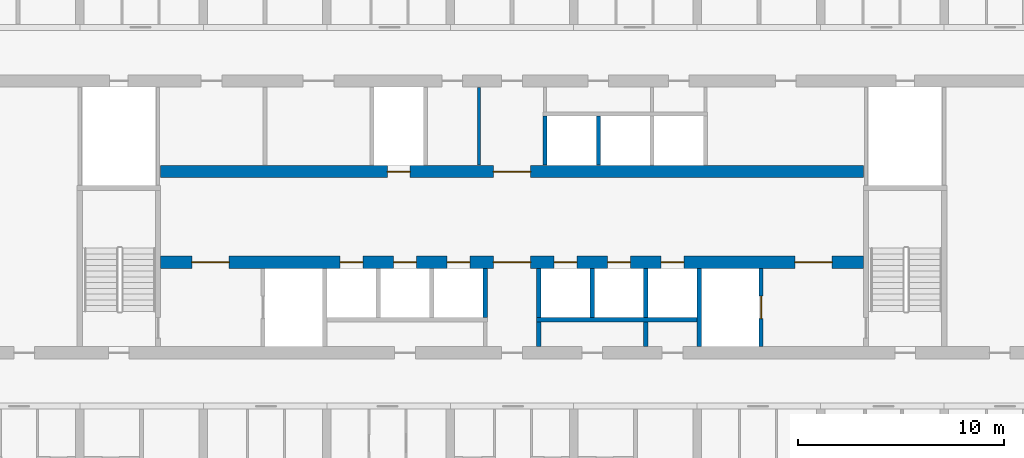
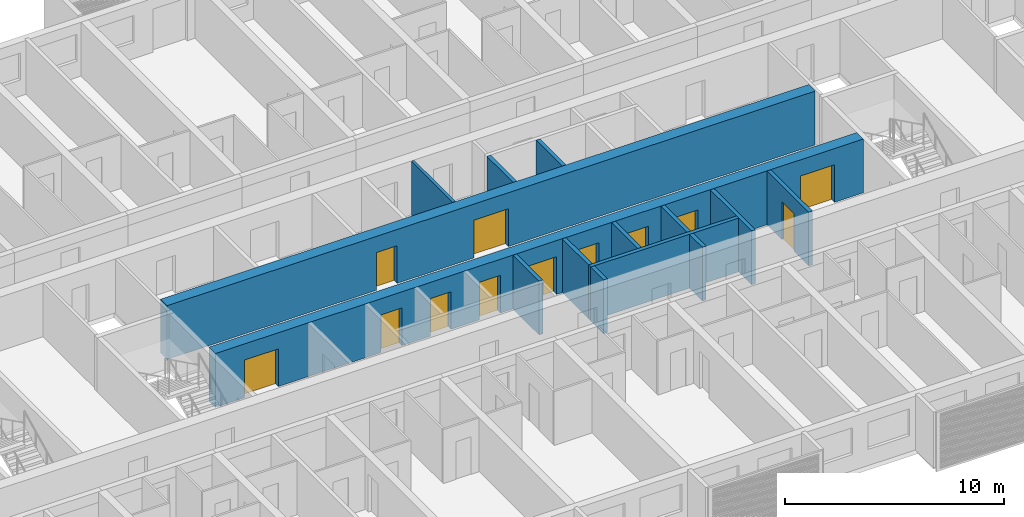
# One storey, part 8 of 38: 14 walls, 12 doors, 12 openings.
"""IFC4 building model written with IfcOpenShell, lengths in metres."""

from ifc_helpers import new_model, si_unit, direction, frame, frame_2d, origin, place, context, subcontext, project, spatial, rectangle, extrude, material, layer, layer_set, type_object, element, fill, save


model = new_model("IFC4")

# Units and contexts
model_context = context("Model", 3, precision=1e-05, world=origin(), true_north=direction((0.0, 1.0)))
body_context = subcontext(model_context, "Body", "Model", "MODEL_VIEW")
ifc_project = project(units=[si_unit("LENGTHUNIT", "METRE"), si_unit("AREAUNIT", "SQUARE_METRE"), si_unit("VOLUMEUNIT", "CUBIC_METRE"), si_unit("PLANEANGLEUNIT", "RADIAN"), si_unit("MASSUNIT", "GRAM", prefix="KILO")], contexts=[model_context])

# Site, building, storey
site_placement = place(None, origin())
site = spatial("IfcSite", under=ifc_project, at=site_placement, CompositionType="ELEMENT")
building_placement = place(site_placement, origin())
building = spatial("IfcBuilding", under=site, at=building_placement, Name="Poui Terraces", CompositionType="ELEMENT")
storey_placement = place(building_placement, frame((0.0, 0.0, 49.800048828125)))
storey = spatial("IfcBuildingStorey", under=building, at=storey_placement, Name="L13", CompositionType="ELEMENT", Elevation=49.800048828125)

# Wall, openings, doors
ifc_material_1 = material(Name="Concrete 80 MPa", Category="concrete")
ifc_layer_1 = layer(ifc_material_1, 0.60009765625)
ifc_layer_set_1 = layer_set([ifc_layer_1], Name="Concrete 80 MPa")
wall_type_1 = type_object("IfcWallType", Name="CORE WALL 600 80 MPA", PredefinedType="SOLIDWALL", material=ifc_layer_set_1)
wall_1_placement = place(storey_placement, frame((33.925048828125, 19.0, 0.0), z_axis=(0.0, 0.0, 1.0), x_axis=(1.0, 0.0, 0.0)))
wall_1 = element("IfcWall", 1, at=wall_1_placement, inside=storey, type_object=wall_type_1, Name="CORE WALL", PredefinedType="SOLIDWALL", context=body_context, shape_type="SweptSolid", body=[
    extrude(rectangle(XDim=34.14990234375, YDim=0.60009765625, at=frame_2d((17.074951171875, 0.0))), origin(), (0.0, 0.0, 1.0), 3.0),
])
opening_1_placement = place(wall_1_placement, frame((16.175048828125, 0.0, 0.0)))
opening_1 = element("IfcOpeningElement", 2, at=opening_1_placement, cuts=wall_1, Name="Opening FDD60", PredefinedType="OPENING", context=body_context, shape_type="SweptSolid", body=[
    extrude(rectangle(XDim=1.800048828125, YDim=2.10009765625, at=frame_2d((0.89990234375, 1.050048828125))), frame((0.0, 0.31005859375, 0.0), z_axis=(0.0, -1.0, 0.0), x_axis=(1.0, 0.0, 0.0)), (0.0, 0.0, 1.0), 0.6201171875),
])
opening_2_placement = place(wall_1_placement, frame((1.52490234375, 0.0, 0.0)))
opening_2 = element("IfcOpeningElement", 3, at=opening_2_placement, cuts=wall_1, Name="Opening FDD60", PredefinedType="OPENING", context=body_context, shape_type="SweptSolid", body=[
    extrude(rectangle(XDim=1.800048828125, YDim=2.10009765625, at=frame_2d((0.89990234375, 1.050048828125))), frame((0.0, 0.31005859375, 0.0), z_axis=(0.0, -1.0, 0.0), x_axis=(1.0, 0.0, 0.0)), (0.0, 0.0, 1.0), 0.6201171875),
])
opening_3_placement = place(wall_1_placement, frame((8.72509765625, 0.0, 0.0)))
opening_3 = element("IfcOpeningElement", 4, at=opening_3_placement, cuts=wall_1, Name="Opening LD", PredefinedType="OPENING", context=body_context, shape_type="SweptSolid", body=[
    extrude(rectangle(XDim=1.10009765625, YDim=2.10009765625, at=frame_2d((0.550048828125, 1.050048828125))), frame((0.0, 0.31005859375, 0.0), z_axis=(0.0, -1.0, 0.0), x_axis=(1.0, 0.0, 0.0)), (0.0, 0.0, 1.0), 0.6201171875),
])
opening_4_placement = place(wall_1_placement, frame((11.324951171875, 0.0, 0.0)))
opening_4 = element("IfcOpeningElement", 5, at=opening_4_placement, cuts=wall_1, Name="Opening LD", PredefinedType="OPENING", context=body_context, shape_type="SweptSolid", body=[
    extrude(rectangle(XDim=1.10009765625, YDim=2.10009765625, at=frame_2d((0.550048828125, 1.050048828125))), frame((0.0, 0.31005859375, 0.0), z_axis=(0.0, -1.0, 0.0), x_axis=(1.0, 0.0, 0.0)), (0.0, 0.0, 1.0), 0.6201171875),
])
opening_5_placement = place(wall_1_placement, frame((13.925048828125, 0.0, 0.0)))
opening_5 = element("IfcOpeningElement", 6, at=opening_5_placement, cuts=wall_1, Name="Opening LD", PredefinedType="OPENING", context=body_context, shape_type="SweptSolid", body=[
    extrude(rectangle(XDim=1.10009765625, YDim=2.10009765625, at=frame_2d((0.550048828125, 1.050048828125))), frame((0.0, 0.31005859375, 0.0), z_axis=(0.0, -1.0, 0.0), x_axis=(1.0, 0.0, 0.0)), (0.0, 0.0, 1.0), 0.6201171875),
])
opening_6_placement = place(wall_1_placement, frame((19.125, 0.0, 0.0)))
opening_6 = element("IfcOpeningElement", 7, at=opening_6_placement, cuts=wall_1, Name="Opening LD", PredefinedType="OPENING", context=body_context, shape_type="SweptSolid", body=[
    extrude(rectangle(XDim=1.10009765625, YDim=2.10009765625, at=frame_2d((0.550048828125, 1.050048828125))), frame((0.0, 0.31005859375, 0.0), z_axis=(0.0, -1.0, 0.0), x_axis=(1.0, 0.0, 0.0)), (0.0, 0.0, 1.0), 0.6201171875),
])
opening_7_placement = place(wall_1_placement, frame((21.72509765625, 0.0, 0.0)))
opening_7 = element("IfcOpeningElement", 8, at=opening_7_placement, cuts=wall_1, Name="Opening LD", PredefinedType="OPENING", context=body_context, shape_type="SweptSolid", body=[
    extrude(rectangle(XDim=1.10009765625, YDim=2.10009765625, at=frame_2d((0.550048828125, 1.050048828125))), frame((0.0, 0.31005859375, 0.0), z_axis=(0.0, -1.0, 0.0), x_axis=(1.0, 0.0, 0.0)), (0.0, 0.0, 1.0), 0.6201171875),
])
opening_8_placement = place(wall_1_placement, frame((24.324951171875, 0.0, 0.0)))
opening_8 = element("IfcOpeningElement", 9, at=opening_8_placement, cuts=wall_1, Name="Opening LD", PredefinedType="OPENING", context=body_context, shape_type="SweptSolid", body=[
    extrude(rectangle(XDim=1.10009765625, YDim=2.10009765625, at=frame_2d((0.550048828125, 1.050048828125))), frame((0.0, 0.31005859375, 0.0), z_axis=(0.0, -1.0, 0.0), x_axis=(1.0, 0.0, 0.0)), (0.0, 0.0, 1.0), 0.6201171875),
])
opening_9_placement = place(wall_1_placement, frame((30.824951171875, 0.0, 0.0)))
opening_9 = element("IfcOpeningElement", 10, at=opening_9_placement, cuts=wall_1, Name="Opening FDD60", PredefinedType="OPENING", context=body_context, shape_type="SweptSolid", body=[
    extrude(rectangle(XDim=1.800048828125, YDim=2.10009765625, at=frame_2d((0.89990234375, 1.050048828125))), frame((0.0, 0.31005859375, 0.0), z_axis=(0.0, -1.0, 0.0), x_axis=(1.0, 0.0, 0.0)), (0.0, 0.0, 1.0), 0.6201171875),
])
ifc_material_2 = material(Name="Steel fire door", Category="steel")
door_type_1 = type_object("IfcDoorType", Name="DOUBLE LOBBY FIRE DOOR 1800 X 2100", OperationType="DOUBLE_DOOR_SINGLE_SWING", PredefinedType="DOOR", material=ifc_material_2)
door_1_placement = place(opening_1_placement, frame((1.800048828125, 0.0, 0.0), z_axis=(0.0, 0.0, 1.0), x_axis=(-1.0, 0.0, 0.0)))
door_1 = element("IfcDoor", 11, at=door_1_placement, inside=storey, type_object=door_type_1, Name="DOUBLE LOBBY FIRE DOOR 153", OperationType="DOUBLE_DOOR_SINGLE_SWING", OverallHeight=2.10009765625, OverallWidth=1.800048828125, PredefinedType="DOOR", context=body_context, shape_type="SweptSolid", body=[
    extrude(rectangle(XDim=1.800048828125, YDim=2.10009765625, at=frame_2d((0.89990234375, 1.050048828125))), frame((0.0, 0.02490234375, 0.0), z_axis=(0.0, -1.0, 0.0), x_axis=(1.0, 0.0, 0.0)), (0.0, 0.0, 1.0), 0.050048828125),
])
fill(opening_1, door_1)
door_2_placement = place(opening_2_placement, origin())
door_2 = element("IfcDoor", 12, at=door_2_placement, inside=storey, type_object=door_type_1, Name="DOUBLE LOBBY FIRE DOOR 154", OperationType="DOUBLE_DOOR_SINGLE_SWING", OverallHeight=2.10009765625, OverallWidth=1.800048828125, PredefinedType="DOOR", context=body_context, shape_type="SweptSolid", body=[
    extrude(rectangle(XDim=1.800048828125, YDim=2.10009765625, at=frame_2d((0.89990234375, 1.050048828125))), frame((0.0, 0.02490234375, 0.0), z_axis=(0.0, -1.0, 0.0), x_axis=(1.0, 0.0, 0.0)), (0.0, 0.0, 1.0), 0.050048828125),
])
fill(opening_2, door_2)
door_3_placement = place(opening_9_placement, origin())
door_3 = element("IfcDoor", 13, at=door_3_placement, inside=storey, type_object=door_type_1, Name="DOUBLE LOBBY FIRE DOOR 162", OperationType="DOUBLE_DOOR_SINGLE_SWING", OverallHeight=2.10009765625, OverallWidth=1.800048828125, PredefinedType="DOOR", context=body_context, shape_type="SweptSolid", body=[
    extrude(rectangle(XDim=1.800048828125, YDim=2.10009765625, at=frame_2d((0.89990234375, 1.050048828125))), frame((0.0, 0.02490234375, 0.0), z_axis=(0.0, -1.0, 0.0), x_axis=(1.0, 0.0, 0.0)), (0.0, 0.0, 1.0), 0.050048828125),
])
fill(opening_9, door_3)
ifc_material_3 = material(Name="Stainless steel sliding door", Category="steel")
door_type_2 = type_object("IfcDoorType", Name="LIFT LANDING DOOR 1100 X 2100", OperationType="DOUBLE_DOOR_SLIDING", PredefinedType="DOOR", material=ifc_material_3)
door_4_placement = place(opening_3_placement, origin())
door_4 = element("IfcDoor", 14, at=door_4_placement, inside=storey, type_object=door_type_2, Name="LANDING DOOR", OperationType="DOUBLE_DOOR_SLIDING", OverallHeight=2.10009765625, OverallWidth=1.10009765625, PredefinedType="DOOR", context=body_context, shape_type="SweptSolid", body=[
    extrude(rectangle(XDim=1.10009765625, YDim=2.10009765625, at=frame_2d((0.550048828125, 1.050048828125))), frame((0.0, 0.02490234375, 0.0), z_axis=(0.0, -1.0, 0.0), x_axis=(1.0, 0.0, 0.0)), (0.0, 0.0, 1.0), 0.050048828125),
])
fill(opening_3, door_4)
door_5_placement = place(opening_4_placement, origin())
door_5 = element("IfcDoor", 15, at=door_5_placement, inside=storey, type_object=door_type_2, Name="LANDING DOOR", OperationType="DOUBLE_DOOR_SLIDING", OverallHeight=2.10009765625, OverallWidth=1.10009765625, PredefinedType="DOOR", context=body_context, shape_type="SweptSolid", body=[
    extrude(rectangle(XDim=1.10009765625, YDim=2.10009765625, at=frame_2d((0.550048828125, 1.050048828125))), frame((0.0, 0.02490234375, 0.0), z_axis=(0.0, -1.0, 0.0), x_axis=(1.0, 0.0, 0.0)), (0.0, 0.0, 1.0), 0.050048828125),
])
fill(opening_4, door_5)
door_6_placement = place(opening_5_placement, origin())
door_6 = element("IfcDoor", 16, at=door_6_placement, inside=storey, type_object=door_type_2, Name="LANDING DOOR", OperationType="DOUBLE_DOOR_SLIDING", OverallHeight=2.10009765625, OverallWidth=1.10009765625, PredefinedType="DOOR", context=body_context, shape_type="SweptSolid", body=[
    extrude(rectangle(XDim=1.10009765625, YDim=2.10009765625, at=frame_2d((0.550048828125, 1.050048828125))), frame((0.0, 0.02490234375, 0.0), z_axis=(0.0, -1.0, 0.0), x_axis=(1.0, 0.0, 0.0)), (0.0, 0.0, 1.0), 0.050048828125),
])
fill(opening_5, door_6)
door_7_placement = place(opening_6_placement, origin())
door_7 = element("IfcDoor", 17, at=door_7_placement, inside=storey, type_object=door_type_2, Name="LANDING DOOR", OperationType="DOUBLE_DOOR_SLIDING", OverallHeight=2.10009765625, OverallWidth=1.10009765625, PredefinedType="DOOR", context=body_context, shape_type="SweptSolid", body=[
    extrude(rectangle(XDim=1.10009765625, YDim=2.10009765625, at=frame_2d((0.550048828125, 1.050048828125))), frame((0.0, 0.02490234375, 0.0), z_axis=(0.0, -1.0, 0.0), x_axis=(1.0, 0.0, 0.0)), (0.0, 0.0, 1.0), 0.050048828125),
])
fill(opening_6, door_7)
door_8_placement = place(opening_7_placement, origin())
door_8 = element("IfcDoor", 18, at=door_8_placement, inside=storey, type_object=door_type_2, Name="LANDING DOOR", OperationType="DOUBLE_DOOR_SLIDING", OverallHeight=2.10009765625, OverallWidth=1.10009765625, PredefinedType="DOOR", context=body_context, shape_type="SweptSolid", body=[
    extrude(rectangle(XDim=1.10009765625, YDim=2.10009765625, at=frame_2d((0.550048828125, 1.050048828125))), frame((0.0, 0.02490234375, 0.0), z_axis=(0.0, -1.0, 0.0), x_axis=(1.0, 0.0, 0.0)), (0.0, 0.0, 1.0), 0.050048828125),
])
fill(opening_7, door_8)
door_9_placement = place(opening_8_placement, origin())
door_9 = element("IfcDoor", 19, at=door_9_placement, inside=storey, type_object=door_type_2, Name="LANDING DOOR", OperationType="DOUBLE_DOOR_SLIDING", OverallHeight=2.10009765625, OverallWidth=1.10009765625, PredefinedType="DOOR", context=body_context, shape_type="SweptSolid", body=[
    extrude(rectangle(XDim=1.10009765625, YDim=2.10009765625, at=frame_2d((0.550048828125, 1.050048828125))), frame((0.0, 0.02490234375, 0.0), z_axis=(0.0, -1.0, 0.0), x_axis=(1.0, 0.0, 0.0)), (0.0, 0.0, 1.0), 0.050048828125),
])
fill(opening_8, door_9)

wall_2_placement = place(storey_placement, frame((33.925048828125, 23.39990234375, 0.0), z_axis=(0.0, 0.0, 1.0), x_axis=(1.0, 0.0, 0.0)))
wall_2 = element("IfcWall", 20, at=wall_2_placement, inside=storey, type_object=wall_type_1, Name="CORE WALL", PredefinedType="SOLIDWALL", context=body_context, shape_type="SweptSolid", body=[
    extrude(rectangle(XDim=34.14990234375, YDim=0.60009765625, at=frame_2d((17.074951171875, 0.0))), origin(), (0.0, 0.0, 1.0), 3.0),
])
opening_10_placement = place(wall_2_placement, frame((16.175048828125, 0.0, 0.0)))
opening_10 = element("IfcOpeningElement", 21, at=opening_10_placement, cuts=wall_2, Name="Opening FDD60", PredefinedType="OPENING", context=body_context, shape_type="SweptSolid", body=[
    extrude(rectangle(XDim=1.800048828125, YDim=2.10009765625, at=frame_2d((0.89990234375, 1.050048828125))), frame((0.0, 0.31005859375, 0.0), z_axis=(0.0, -1.0, 0.0), x_axis=(1.0, 0.0, 0.0)), (0.0, 0.0, 1.0), 0.6201171875),
])
opening_11_placement = place(wall_2_placement, frame((11.02490234375, 0.0, 0.0)))
opening_11 = element("IfcOpeningElement", 22, at=opening_11_placement, cuts=wall_2, Name="Opening LD", PredefinedType="OPENING", context=body_context, shape_type="SweptSolid", body=[
    extrude(rectangle(XDim=1.10009765625, YDim=2.10009765625, at=frame_2d((0.550048828125, 1.050048828125))), frame((0.0, 0.31005859375, 0.0), z_axis=(0.0, -1.0, 0.0), x_axis=(1.0, 0.0, 0.0)), (0.0, 0.0, 1.0), 0.6201171875),
])
door_10_placement = place(opening_10_placement, origin())
door_10 = element("IfcDoor", 23, at=door_10_placement, inside=storey, type_object=door_type_1, Name="DOUBLE LOBBY FIRE DOOR 152", OperationType="DOUBLE_DOOR_SINGLE_SWING", OverallHeight=2.10009765625, OverallWidth=1.800048828125, PredefinedType="DOOR", context=body_context, shape_type="SweptSolid", body=[
    extrude(rectangle(XDim=1.800048828125, YDim=2.10009765625, at=frame_2d((0.89990234375, 1.050048828125))), frame((0.0, 0.02490234375, 0.0), z_axis=(0.0, -1.0, 0.0), x_axis=(1.0, 0.0, 0.0)), (0.0, 0.0, 1.0), 0.050048828125),
])
fill(opening_10, door_10)
door_11_placement = place(opening_11_placement, origin())
door_11 = element("IfcDoor", 24, at=door_11_placement, inside=storey, type_object=door_type_2, Name="LANDING DOOR", OperationType="DOUBLE_DOOR_SLIDING", OverallHeight=2.10009765625, OverallWidth=1.10009765625, PredefinedType="DOOR", context=body_context, shape_type="SweptSolid", body=[
    extrude(rectangle(XDim=1.10009765625, YDim=2.10009765625, at=frame_2d((0.550048828125, 1.050048828125))), frame((0.0, 0.02490234375, 0.0), z_axis=(0.0, -1.0, 0.0), x_axis=(1.0, 0.0, 0.0)), (0.0, 0.0, 1.0), 0.050048828125),
])
fill(opening_11, door_11)

# Walls
ifc_material_4 = material(Name="Fire-rated plasterboard wall")
ifc_layer_2 = layer(ifc_material_4, 0.14990234375)
ifc_layer_set_2 = layer_set([ifc_layer_2], Name="Fire-rated plasterboard wall")
wall_type_2 = type_object("IfcWallType", Name="CORRIDOR WALL 150", PredefinedType="PARTITIONING", material=ifc_layer_set_2)
wall_3_placement = place(storey_placement, frame((49.39990234375, 23.7099609375, 0.0), z_axis=(0.0, 0.0, 1.0), x_axis=(0.0, 1.0, 0.0)))
element("IfcWall", 25, at=wall_3_placement, inside=storey, type_object=wall_type_2, Name="CORRIDOR WALL 150", PredefinedType="PARTITIONING", context=body_context, shape_type="SweptSolid", body=[
    extrude(rectangle(XDim=3.780029296875, YDim=0.14990234375, at=frame_2d((1.89013671875, 0.0))), origin(), (0.0, 0.0, 1.0), 3.0),
])
ifc_material_5 = material(Name="Fire-rated masonry wall", Category="masonry")
ifc_layer_3 = layer(ifc_material_5, 0.199951171875)
ifc_layer_set_3 = layer_set([ifc_layer_3], Name="Fire-rated masonry wall")
wall_type_3 = type_object("IfcWallType", Name="PLANT ROOM WALL 200", PredefinedType="PARTITIONING", material=ifc_layer_set_3)
for number, where, z_axis, x_axis, name in (
    (26, (52.300048828125, 14.909912109375, 0.0), (0.0, 0.0, 1.0), (0.0, 1.0, 0.0), "PLANT ROOM WALL 200"),
    (27, (57.5, 14.909912109375, 0.0), (0.0, 0.0, 1.0), (0.0, 1.0, 0.0), "PLANT ROOM WALL 200"),
):
    element("IfcWall", number, at=place(storey_placement, frame(where, z_axis=z_axis, x_axis=x_axis)), inside=storey, type_object=wall_type_3, Name=name, PredefinedType="PARTITIONING", context=body_context, shape_type="SweptSolid", body=[
        extrude(rectangle(XDim=1.190185546875, YDim=0.199951171875, at=frame_2d((0.59521484375, 0.0))), origin(), (0.0, 0.0, 1.0), 3.0),
    ])
ifc_material_6 = material(Name="Fire-rated masonry shaft wall", Category="masonry")
ifc_layer_4 = layer(ifc_material_6, 0.199951171875)
ifc_layer_set_4 = layer_set([ifc_layer_4], Name="Fire-rated masonry shaft wall")
wall_type_4 = type_object("IfcWallType", Name="SHAFT WALL 200", PredefinedType="PARTITIONING", material=ifc_layer_set_4)
wall_4_placement = place(storey_placement, frame((52.199951171875, 16.199951171875, 0.0), z_axis=(0.0, 0.0, 1.0), x_axis=(1.0, 0.0, 0.0)))
element("IfcWall", 28, at=wall_4_placement, inside=storey, type_object=wall_type_4, Name="SHAFT WALL 200", PredefinedType="PARTITIONING", context=body_context, shape_type="SweptSolid", body=[
    extrude(rectangle(XDim=7.800048828125, YDim=0.199951171875, at=frame_2d((3.89990234375, 0.0))), origin(), (0.0, 0.0, 1.0), 3.0),
])
for number, where, z_axis, x_axis, name in (
    (29, (49.699951171875, 16.300048828125, 0.0), (0.0, 0.0, 1.0), (0.0, 1.0, 0.0), "SHAFT WALL 200"),
    (30, (52.300048828125, 16.300048828125, 0.0), (0.0, 0.0, 1.0), (0.0, 1.0, 0.0), "SHAFT WALL 200"),
):
    element("IfcWall", number, at=place(storey_placement, frame(where, z_axis=z_axis, x_axis=x_axis)), inside=storey, type_object=wall_type_4, Name=name, PredefinedType="PARTITIONING", context=body_context, shape_type="SweptSolid", body=[
        extrude(rectangle(XDim=2.389892578125, YDim=0.199951171875, at=frame_2d((1.19482421875, 0.0))), origin(), (0.0, 0.0, 1.0), 3.0),
    ])
wall_5_placement = place(storey_placement, frame((52.60009765625, 23.7099609375, 0.0), z_axis=(0.0, 0.0, 1.0), x_axis=(0.0, 1.0, 0.0)))
element("IfcWall", 31, at=wall_5_placement, inside=storey, type_object=wall_type_4, Name="SHAFT WALL 200", PredefinedType="PARTITIONING", context=body_context, shape_type="SweptSolid", body=[
    extrude(rectangle(XDim=2.39013671875, YDim=0.199951171875, at=frame_2d((1.195068359375, 0.0))), origin(), (0.0, 0.0, 1.0), 3.0),
])
wall_6_placement = place(storey_placement, frame((54.89990234375, 16.300048828125, 0.0), z_axis=(0.0, 0.0, 1.0), x_axis=(0.0, 1.0, 0.0)))
element("IfcWall", 32, at=wall_6_placement, inside=storey, type_object=wall_type_4, Name="SHAFT WALL 200", PredefinedType="PARTITIONING", context=body_context, shape_type="SweptSolid", body=[
    extrude(rectangle(XDim=2.389892578125, YDim=0.199951171875, at=frame_2d((1.19482421875, 0.0))), origin(), (0.0, 0.0, 1.0), 3.0),
])
wall_7_placement = place(storey_placement, frame((55.199951171875, 23.7099609375, 0.0), z_axis=(0.0, 0.0, 1.0), x_axis=(0.0, 1.0, 0.0)))
element("IfcWall", 33, at=wall_7_placement, inside=storey, type_object=wall_type_4, Name="SHAFT WALL 200", PredefinedType="PARTITIONING", context=body_context, shape_type="SweptSolid", body=[
    extrude(rectangle(XDim=2.39013671875, YDim=0.199951171875, at=frame_2d((1.195068359375, 0.0))), origin(), (0.0, 0.0, 1.0), 3.0),
])
wall_8_placement = place(storey_placement, frame((57.5, 16.300048828125, 0.0), z_axis=(0.0, 0.0, 1.0), x_axis=(0.0, 1.0, 0.0)))
element("IfcWall", 34, at=wall_8_placement, inside=storey, type_object=wall_type_4, Name="SHAFT WALL 200", PredefinedType="PARTITIONING", context=body_context, shape_type="SweptSolid", body=[
    extrude(rectangle(XDim=2.389892578125, YDim=0.199951171875, at=frame_2d((1.19482421875, 0.0))), origin(), (0.0, 0.0, 1.0), 3.0),
])
wall_9_placement = place(storey_placement, frame((60.10009765625, 14.909912109375, 0.0), z_axis=(0.0, 0.0, 1.0), x_axis=(0.0, 1.0, 0.0)))
element("IfcWall", 35, at=wall_9_placement, inside=storey, type_object=wall_type_4, Name="SHAFT WALL 200", PredefinedType="PARTITIONING", context=body_context, shape_type="SweptSolid", body=[
    extrude(rectangle(XDim=3.780029296875, YDim=0.199951171875, at=frame_2d((1.89013671875, 0.0))), origin(), (0.0, 0.0, 1.0), 3.0),
])

# Wall, opening, door
wall_10_placement = place(storey_placement, frame((63.10009765625, 14.909912109375, 0.0), z_axis=(0.0, 0.0, 1.0), x_axis=(0.0, 1.0, 0.0)))
wall_10 = element("IfcWall", 36, at=wall_10_placement, inside=storey, type_object=wall_type_4, Name="SHAFT WALL 200", PredefinedType="PARTITIONING", context=body_context, shape_type="SweptSolid", body=[
    extrude(rectangle(XDim=3.780029296875, YDim=0.199951171875, at=frame_2d((1.89013671875, 0.0))), origin(), (0.0, 0.0, 1.0), 3.0),
])
opening_12_placement = place(wall_10_placement, frame((1.340087890625, 0.0, 0.0)))
opening_12 = element("IfcOpeningElement", 37, at=opening_12_placement, cuts=wall_10, Name="Opening LD", PredefinedType="OPENING", context=body_context, shape_type="SweptSolid", body=[
    extrude(rectangle(XDim=1.10009765625, YDim=2.10009765625, at=frame_2d((0.550048828125, 1.050048828125))), frame((0.0, 0.10986328125, 0.0), z_axis=(0.0, -1.0, 0.0), x_axis=(1.0, 0.0, 0.0)), (0.0, 0.0, 1.0), 0.219970703125),
])
door_12_placement = place(opening_12_placement, origin())
door_12 = element("IfcDoor", 38, at=door_12_placement, inside=storey, type_object=door_type_2, Name="LANDING DOOR", OperationType="DOUBLE_DOOR_SLIDING", OverallHeight=2.10009765625, OverallWidth=1.10009765625, PredefinedType="DOOR", context=body_context, shape_type="SweptSolid", body=[
    extrude(rectangle(XDim=1.10009765625, YDim=2.10009765625, at=frame_2d((0.550048828125, 1.050048828125))), frame((0.0, 0.02490234375, 0.0), z_axis=(0.0, -1.0, 0.0), x_axis=(1.0, 0.0, 0.0)), (0.0, 0.0, 1.0), 0.050048828125),
])
fill(opening_12, door_12)

save(model, "model.ifc")
